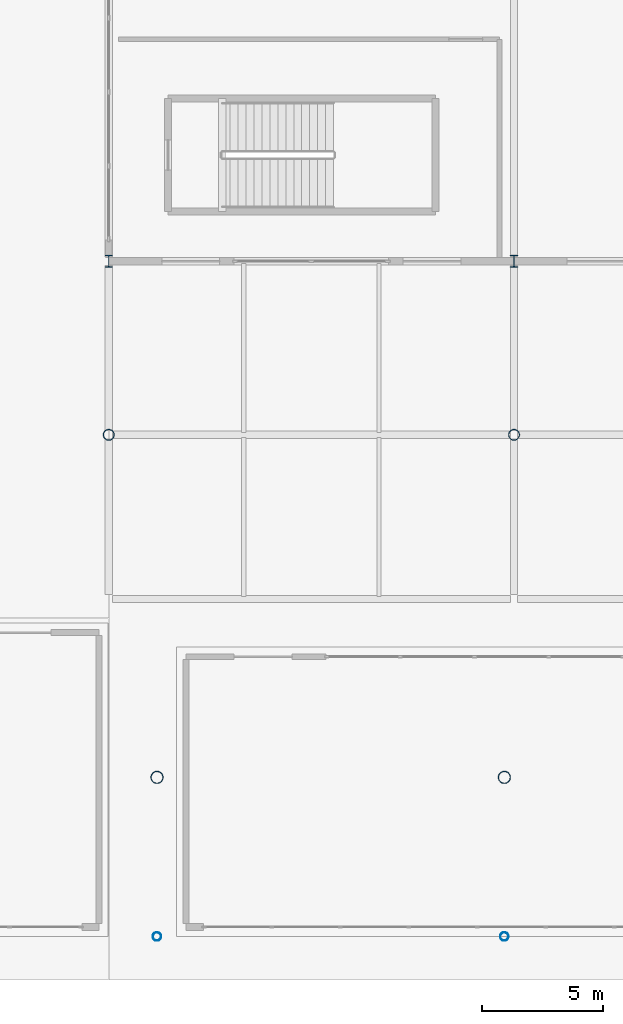
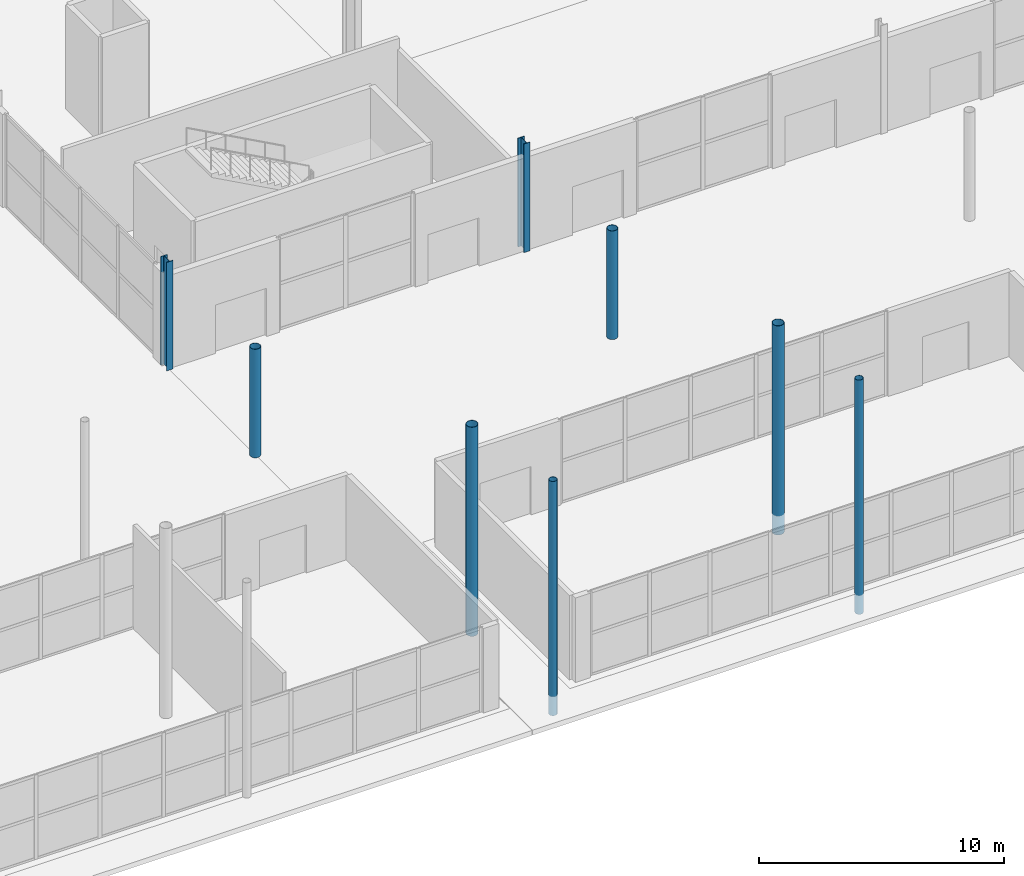
# One storey, part 2 of 87: 8 columns.
"""IFC4 building model written with IfcOpenShell, lengths in metres."""

from ifc_helpers import new_model, si_unit, direction, frame, origin, origin_2d, place, context, subcontext, project, spatial, hollow_circle, i_section, extrude, material, material_profile, profile_set, type_object, element, save


model = new_model("IFC4")

# Units and contexts
model_context = context("Model", 3, precision=1e-05, world=origin(), true_north=direction((0.0, 1.0)))
body_context = subcontext(model_context, "Body", "Model", "MODEL_VIEW")
ifc_project = project(units=[si_unit("LENGTHUNIT", "METRE"), si_unit("AREAUNIT", "SQUARE_METRE"), si_unit("VOLUMEUNIT", "CUBIC_METRE"), si_unit("PLANEANGLEUNIT", "RADIAN"), si_unit("MASSUNIT", "GRAM", prefix="KILO")], contexts=[model_context])

# Site, building, storey
site_placement = place(None, origin())
site = spatial("IfcSite", under=ifc_project, at=site_placement, CompositionType="ELEMENT")
building_placement = place(site_placement, origin())
building = spatial("IfcBuilding", under=site, at=building_placement, Name="Kimbaza Rail Terminus", CompositionType="ELEMENT")
storey_placement = place(building_placement, origin())
storey = spatial("IfcBuildingStorey", under=building, at=storey_placement, Name="L00", CompositionType="ELEMENT", Elevation=0.0)

# Columns
ifc_material_1 = material(Name="White painted steel S355", Category="steel")
ifc_material_profile_1 = material_profile(ifc_material_1, hollow_circle(Radius=0.177734375, WallThickness=0.012451171875, at=origin_2d()), Name="CHS 355.6x12.5")
ifc_profile_set_1 = profile_set([ifc_material_profile_1], Name="White painted steel S355")
column_type_1 = type_object("IfcColumnType", Name="STR-COL-CHS355", PredefinedType="PILASTER", material=ifc_profile_set_1)
for number, where, z_axis, x_axis, name in (
    (1, (57.199951171875, 13.0, -0.949951171875), (0.0, 0.0, 1.0), (1.0, 0.0, 0.0), "Forecourt Canopy Column (3,0)"),
    (2, (71.60009765625, 13.0, -0.949951171875), (0.0, 0.0, 1.0), (1.0, 0.0, 0.0), "Forecourt Canopy Column (4,0)"),
):
    element("IfcColumn", number, at=place(storey_placement, frame(where, z_axis=z_axis, x_axis=x_axis)), inside=storey, type_object=column_type_1, Name=name, PredefinedType="PILASTER", context=body_context, shape_type="SweptSolid", body=[
        extrude(hollow_circle(Radius=0.177734375, WallThickness=0.012451171875, at=origin_2d()), origin(), (0.0, 0.0, 1.0), 11.64990234375),
    ])
ifc_material_2 = material(Name="White painted steel S355", Category="steel")
ifc_material_profile_2 = material_profile(ifc_material_2, hollow_circle(Radius=0.228515625, WallThickness=0.01611328125, at=origin_2d()), Name="CHS 457x16")
ifc_profile_set_2 = profile_set([ifc_material_profile_2], Name="White painted steel S355")
column_type_2 = type_object("IfcColumnType", Name="STR-COL-CHS457", PredefinedType="COLUMN", material=ifc_profile_set_2)
for number, where, z_axis, x_axis, name in (
    (3, (55.199951171875, 33.800048828125, 0.0), (0.0, 0.0, 1.0), (1.0, 0.0, 0.0), "Colonnade Column L00 #1"),
    (4, (72.0, 33.800048828125, 0.0), (0.0, 0.0, 1.0), (1.0, 0.0, 0.0), "Colonnade Column L00 #2"),
):
    element("IfcColumn", number, at=place(storey_placement, frame(where, z_axis=z_axis, x_axis=x_axis)), inside=storey, type_object=column_type_2, Name=name, PredefinedType="COLUMN", context=body_context, shape_type="SweptSolid", body=[
        extrude(hollow_circle(Radius=0.228515625, WallThickness=0.01611328125, at=origin_2d()), origin(), (0.0, 0.0, 1.0), 5.39990234375),
    ])
ifc_material_3 = material(Name="White painted steel S355", Category="steel")
ifc_material_profile_3 = material_profile(ifc_material_3, hollow_circle(Radius=0.25390625, WallThickness=0.01611328125, at=origin_2d()), Name="CHS 508x16")
ifc_profile_set_3 = profile_set([ifc_material_profile_3], Name="White painted steel S355")
column_type_3 = type_object("IfcColumnType", Name="STR-COL-CHS508", PredefinedType="COLUMN", material=ifc_profile_set_3)
for number, where, z_axis, x_axis, name in (
    (5, (57.199951171875, 19.60009765625, -0.949951171875), (0.0, 0.0, 1.0), (1.0, 0.0, 0.0), "Forecourt Canopy Column (3,1)"),
    (6, (71.60009765625, 19.60009765625, -0.949951171875), (0.0, 0.0, 1.0), (1.0, 0.0, 0.0), "Forecourt Canopy Column (4,1)"),
):
    element("IfcColumn", number, at=place(storey_placement, frame(where, z_axis=z_axis, x_axis=x_axis)), inside=storey, type_object=column_type_3, Name=name, PredefinedType="COLUMN", context=body_context, shape_type="SweptSolid", body=[
        extrude(hollow_circle(Radius=0.25390625, WallThickness=0.01611328125, at=origin_2d()), origin(), (0.0, 0.0, 1.0), 10.39990234375),
    ])
ifc_material_4 = material(Name="Steel S355", Category="steel")
ifc_material_profile_4 = material_profile(ifc_material_4, i_section(OverallWidth=0.300048828125, OverallDepth=0.5, WebThickness=0.014404296875, FlangeThickness=0.028076171875, FilletRadius=0.027099609375, at=origin_2d()), Name="HEB 500")
ifc_profile_set_4 = profile_set([ifc_material_profile_4], Name="Steel S355")
column_type_4 = type_object("IfcColumnType", Name="STR-COL-HEB500", PredefinedType="COLUMN", material=ifc_profile_set_4)
for number, where, z_axis, x_axis, name in (
    (7, (55.199951171875, 41.0, 0.0), (0.0, 0.0, 1.0), (1.0, 0.0, 0.0), "South Hall Column L00"),
    (8, (72.0, 41.0, 0.0), (0.0, 0.0, 1.0), (1.0, 0.0, 0.0), "South Hall Column L00"),
):
    element("IfcColumn", number, at=place(storey_placement, frame(where, z_axis=z_axis, x_axis=x_axis)), inside=storey, type_object=column_type_4, Name=name, PredefinedType="COLUMN", context=body_context, shape_type="SweptSolid", body=[
        extrude(i_section(OverallWidth=0.300048828125, OverallDepth=0.5, WebThickness=0.014404296875, FlangeThickness=0.028076171875, FilletRadius=0.027099609375, at=origin_2d()), origin(), (0.0, 0.0, 1.0), 5.39990234375),
    ])

save(model, "model.ifc")
